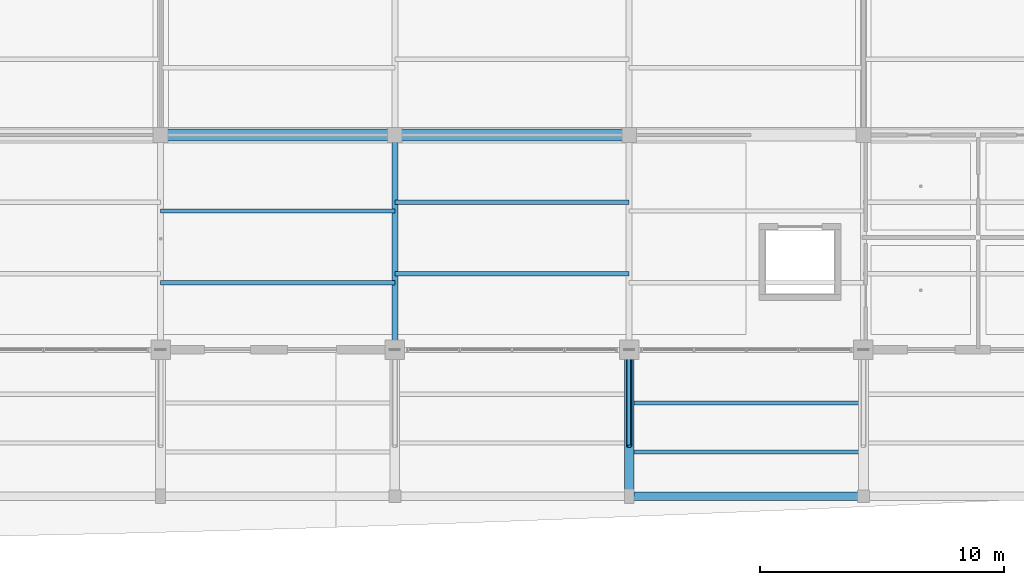
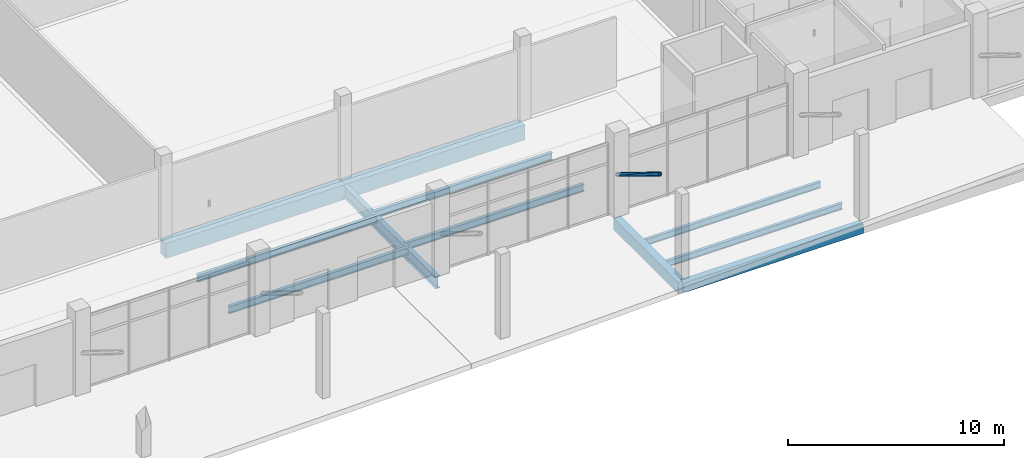
# One storey, part 43 of 116: 11 beams, 1 member.
"""IFC4 building model written with IfcOpenShell, lengths in metres."""

import ifcopenshell
import ifcopenshell.guid

model = None  # the IFC model being written
_history = None  # IfcOwnerHistory: only IFC2X3 demands one
_inside = {}  # id of a spatial element -> (the spatial element, [elements in it])
_under = {}  # id of a project, library or spatial element -> (it, [spatial elements below it])
_declared = {}  # id of a project -> (the project, [libraries it declares])
_typed = {}  # id of a type object -> (the type object, [elements of that type])
_made_of = {}  # id of a material, layer set ... -> (it, [elements and type objects made of it])


def new_model(schema):
    """Start an empty IFC model of exactly this schema.

    Asked for "IFC4X3", IfcOpenShell would pick the latest addendum, in which some entities
    have other attributes; the version numbers below select the first issue.
    IFC2X3 requires an IfcOwnerHistory on every rooted entity: one is made here for all.
    """
    global model, _history
    if schema == "IFC4X3":
        model = ifcopenshell.file(schema_version=(4, 3, 0, 0))
    else:
        model = ifcopenshell.file(schema=schema)
    _inside.clear()
    _under.clear()
    _declared.clear()
    _typed.clear()
    _made_of.clear()
    _history = None
    if model.schema == "IFC2X3":
        org = make("IfcOrganization", Name="unknown")
        user = make(
            "IfcPersonAndOrganization",
            ThePerson=make("IfcPerson", FamilyName="unknown"),
            TheOrganization=org,
        )
        app = make(
            "IfcApplication",
            ApplicationDeveloper=org,
            Version="unknown",
            ApplicationFullName="unknown",
            ApplicationIdentifier="unknown",
        )
        _history = make(
            "IfcOwnerHistory",
            OwningUser=user,
            OwningApplication=app,
            ChangeAction="ADDED",
            CreationDate=0,
        )
    return model


def make(cls, **values):
    """One entity of the class cls with the attributes given. An attribute that is None is left unset."""
    return model.create_entity(
        cls, **{name: value for name, value in values.items() if value is not None}
    )


def rooted(cls, **values):
    """An entity with a GlobalId (a new one), such as an element, a storey or a relation."""
    return make(cls, GlobalId=ifcopenshell.guid.new(), OwnerHistory=_history, **values)


def si_unit(unit_type, name, prefix=None):
    """IfcSIUnit, for example si_unit("LENGTHUNIT", "METRE", prefix="MILLI")."""
    return make("IfcSIUnit", UnitType=unit_type, Prefix=prefix, Name=name)


def assignment(units):
    """IfcUnitAssignment: the units of a project."""
    return None if units is None else make("IfcUnitAssignment", Units=units)


def point(xyz):
    """IfcCartesianPoint."""
    return None if xyz is None else make("IfcCartesianPoint", Coordinates=xyz)


def direction(xyz):
    """IfcDirection."""
    return None if xyz is None else make("IfcDirection", DirectionRatios=xyz)


def frame(location, z_axis=None, x_axis=None):
    """IfcAxis2Placement3D, a coordinate frame: its origin and axes. An axis left out is left unset."""
    return make(
        "IfcAxis2Placement3D",
        Location=point(location),
        Axis=direction(z_axis),
        RefDirection=direction(x_axis),
    )


def frame_2d(location, x_axis=None):
    """IfcAxis2Placement2D, a coordinate frame in the plane: its origin and x axis."""
    return make(
        "IfcAxis2Placement2D", Location=point(location), RefDirection=direction(x_axis)
    )


def origin():
    """The frame at (0, 0, 0) with its axes left unset."""
    return frame((0.0, 0.0, 0.0))


def origin_2d():
    """The frame at (0, 0) in the plane with its x axis left unset."""
    return frame_2d((0.0, 0.0))


def place(relative_to, where):
    """IfcLocalPlacement: puts the frame where relative to a parent placement (None: the world)."""
    return make(
        "IfcLocalPlacement", PlacementRelTo=relative_to, RelativePlacement=where
    )


def context(
    kind, dimensions, precision=None, world=None, true_north=None, identifier=None
):
    """IfcGeometricRepresentationContext, for example the 3D "Model" context."""
    return make(
        "IfcGeometricRepresentationContext",
        ContextIdentifier=identifier,
        ContextType=kind,
        CoordinateSpaceDimension=dimensions,
        Precision=precision,
        WorldCoordinateSystem=world,
        TrueNorth=true_north,
    )


def subcontext(parent, identifier, kind, view, scale=None):
    """IfcGeometricRepresentationSubContext, for example "Body" below "Model"."""
    return make(
        "IfcGeometricRepresentationSubContext",
        ContextIdentifier=identifier,
        ContextType=kind,
        ParentContext=parent,
        TargetScale=scale,
        TargetView=view,
    )


def project(units=None, contexts=None):
    """IfcProject with its units and contexts."""
    return rooted(
        "IfcProject",
        Name="project",
        RepresentationContexts=contexts,
        UnitsInContext=assignment(units),
    )


def spatial(cls, under=None, at=None, **own):
    """A site, building, storey or space (cls), placed at a placement, below another one or the project."""
    s = rooted(cls, ObjectPlacement=at, **own)
    if under is not None:
        _under.setdefault(under.id(), (under, []))[1].append(s)
    return s


def profile(cls, at=None, kind="AREA", **sizes):
    """A parametric profile (cls). Its sizes go by their IFC names, for example OverallWidth=200.0."""
    return make(cls, ProfileType=kind, Position=at, **sizes)


def rectangle(**sizes):
    """IfcRectangleProfileDef."""
    return profile("IfcRectangleProfileDef", **sizes)


def hollow_circle(**sizes):
    """IfcCircleHollowProfileDef."""
    return profile("IfcCircleHollowProfileDef", **sizes)


def i_section(**sizes):
    """IfcIShapeProfileDef."""
    return profile("IfcIShapeProfileDef", **sizes)


def extrude(swept, where, along, depth):
    """IfcExtrudedAreaSolid: the profile swept, set in the frame where, extruded along a direction by depth."""
    return make(
        "IfcExtrudedAreaSolid",
        SweptArea=swept,
        Position=where,
        ExtrudedDirection=direction(along),
        Depth=depth,
    )


def shape(context_of_items, identifier, shape_type, items):
    """IfcShapeRepresentation: the items that make up one representation, for example the "Body"."""
    return make(
        "IfcShapeRepresentation",
        ContextOfItems=context_of_items,
        RepresentationIdentifier=identifier,
        RepresentationType=shape_type,
        Items=items,
    )


def material(Name=None, Category=None):
    """IfcMaterial."""
    return make("IfcMaterial", Name=Name, Category=Category)


def material_profile(
    of_material, cross_section, Name=None, Category=None, Priority=None
):
    """IfcMaterialProfile: a cross section and its material."""
    return make(
        "IfcMaterialProfile",
        Name=Name,
        Material=of_material,
        Profile=cross_section,
        Priority=Priority,
        Category=Category,
    )


def profile_set(profiles, Name=None, composite=None):
    """IfcMaterialProfileSet."""
    return make(
        "IfcMaterialProfileSet",
        Name=Name,
        MaterialProfiles=profiles,
        CompositeProfile=composite,
    )


def made_of(thing, what):
    """Note that an element or type object is made of a material, layer set ...; save() writes the relation."""
    if what is not None:
        _made_of.setdefault(what.id(), (what, []))[1].append(thing)
    return thing


def type_object(cls, material=None, **own):
    """A type object (cls), such as IfcWallType, which elements share."""
    return made_of(rooted(cls, **own), material)


def element(
    cls,
    number,
    at=None,
    inside=None,
    cuts=None,
    type_object=None,
    material=None,
    context=None,
    identifier="Body",
    shape_type=None,
    held_by="IfcProductDefinitionShape",
    body=None,
    shapes=None,
    **own,
):
    """One element of the class cls, such as IfcWall. Its Tag is "e" and its number.

    at: its placement. inside: the storey or other place that contains it. cuts: it is an
    opening in that element (IfcRelVoidsElement). A single representation is given by context,
    identifier, shape_type and body (its items); several are given by shapes. held_by: the class
    of the entity that holds the representations. save() writes the other relations.
    """
    e = rooted(cls, Tag="e%d" % number, ObjectPlacement=at, **own)
    if body is not None:
        shapes = [shape(context, identifier, shape_type, body)]
    if shapes is not None:
        e.Representation = make(held_by, Representations=shapes)
    if inside is not None:
        _inside.setdefault(inside.id(), (inside, []))[1].append(e)
    if cuts is not None:
        rooted(
            "IfcRelVoidsElement", RelatingBuildingElement=cuts, RelatedOpeningElement=e
        )
    if type_object is not None:
        _typed.setdefault(type_object.id(), (type_object, []))[1].append(e)
    return made_of(e, material)


def aggregate(whole, parts):
    """IfcRelAggregates: a whole, such as a stair, and the parts it consists of."""
    return rooted("IfcRelAggregates", RelatingObject=whole, RelatedObjects=parts)


def save(model, path):
    """Write the relations noted so far, then the file.

    IfcRelAggregates (storeys below a building ...), IfcRelContainedInSpatialStructure (elements
    in a storey), IfcRelDefinesByType, IfcRelAssociatesMaterial and IfcRelDeclares: one each for
    every whole, place, type object, material and project.
    """
    for whole, parts in _under.values():
        aggregate(whole, parts)
    for where, things in _inside.values():
        rooted(
            "IfcRelContainedInSpatialStructure",
            RelatedElements=things,
            RelatingStructure=where,
        )
    for kind, things in _typed.values():
        rooted("IfcRelDefinesByType", RelatedObjects=things, RelatingType=kind)
    for what, things in _made_of.values():
        rooted("IfcRelAssociatesMaterial", RelatedObjects=things, RelatingMaterial=what)
    for by, libraries in _declared.values():
        rooted("IfcRelDeclares", RelatingContext=by, RelatedDefinitions=libraries)
    model.write(path)


model = new_model("IFC4")

# Units and contexts
model_context = context("Model", 3, precision=1e-05, world=origin(), true_north=direction((0.0, 1.0)))
body_context = subcontext(model_context, "Body", "Model", "MODEL_VIEW")
ifc_project = project(units=[si_unit("LENGTHUNIT", "METRE"), si_unit("AREAUNIT", "SQUARE_METRE"), si_unit("VOLUMEUNIT", "CUBIC_METRE"), si_unit("PLANEANGLEUNIT", "RADIAN"), si_unit("MASSUNIT", "GRAM", prefix="KILO")], contexts=[model_context])

# Site, building, storey
site_placement = place(None, origin())
site = spatial("IfcSite", under=ifc_project, at=site_placement, CompositionType="ELEMENT")
building_placement = place(site_placement, origin())
building = spatial("IfcBuilding", under=site, at=building_placement, Name="Chalmorin Arch Market", CompositionType="ELEMENT")
storey_placement = place(building_placement, origin())
storey = spatial("IfcBuildingStorey", under=building, at=storey_placement, Name="L00", CompositionType="ELEMENT", Elevation=0.0)

# Member
ifc_material_1 = material(Name="Steel A500 Grade C", Category="steel")
ifc_material_profile_1 = material_profile(ifc_material_1, hollow_circle(Radius=0.109619140625, WallThickness=0.00830078125, at=origin_2d()), Name="CHS219X8")
ifc_profile_set_1 = profile_set([ifc_material_profile_1], Name="Steel A500 Grade C")
member_type = type_object("IfcMemberType", Name="CanopyRakingStrut-CHS219", PredefinedType="STRUT", material=ifc_profile_set_1)
member_placement = place(storey_placement, frame((105.60009765625, 6.0, 2.10009765625), z_axis=(0.0, -0.852698951307, 0.522402621012), x_axis=(1.0, 0.0, 0.0)))
element("IfcMember", 1, at=member_placement, inside=storey, type_object=member_type, Name="ST-CH219-0012", PredefinedType="STRUT", context=body_context, shape_type="SweptSolid", body=[
    extrude(hollow_circle(Radius=0.109619140625, WallThickness=0.00830078125, at=origin_2d()), origin(), (0.0, 0.0, 1.0), 4.63232421875),
])

# Beams
ifc_material_2 = material(Name="Concrete C40/50", Category="concrete")
ifc_material_profile_2 = material_profile(ifc_material_2, rectangle(XDim=0.39990234375, YDim=0.64990234375, at=origin_2d()), Name="RC400X650")
ifc_profile_set_2 = profile_set([ifc_material_profile_2], Name="Concrete C40/50")
beam_type_1 = type_object("IfcBeamType", Name="MezzanineConcreteBeam-400x650", PredefinedType="BEAM", material=ifc_profile_set_2)
beam_1_placement = place(storey_placement, frame((105.60009765625, 0.0, -0.626953125), z_axis=(0.0, 1.0, 0.0), x_axis=(-1.0, 0.0, 0.0)))
element("IfcBeam", 2, at=beam_1_placement, inside=storey, type_object=beam_type_1, Name="BM-RC3-0569", PredefinedType="BEAM", context=body_context, shape_type="SweptSolid", body=[
    extrude(rectangle(XDim=0.39990234375, YDim=0.64990234375, at=origin_2d()), origin(), (0.0, 0.0, 1.0), 6.0),
])
ifc_material_profile_3 = material_profile(ifc_material_2, rectangle(XDim=0.5, YDim=0.85009765625, at=origin_2d()), Name="RC500X850")
ifc_profile_set_3 = profile_set([ifc_material_profile_3], Name="Concrete C40/50")
beam_type_2 = type_object("IfcBeamType", Name="PlinthConcreteGirder-500x850", PredefinedType="BEAM", material=ifc_profile_set_3)
for number, where, z_axis, x_axis, name in (
    (3, (86.39990234375, 14.800048828125, -0.70703125), (1.0, 0.0, 0.0), (0.0, 1.0, 0.0), "BG-RC1-0060"),
    (4, (96.0, 14.800048828125, -0.70703125), (1.0, 0.0, 0.0), (0.0, 1.0, 0.0), "BG-RC1-0073"),
):
    element("IfcBeam", number, at=place(storey_placement, frame(where, z_axis=z_axis, x_axis=x_axis)), inside=storey, type_object=beam_type_2, Name=name, PredefinedType="BEAM", context=body_context, shape_type="SweptSolid", body=[
        extrude(rectangle(XDim=0.5, YDim=0.85009765625, at=origin_2d()), origin(), (0.0, 0.0, 1.0), 9.60009765625),
    ])
ifc_material_3 = material(Name="Steel A992 Grade 50", Category="steel")
ifc_material_profile_4 = material_profile(ifc_material_3, i_section(OverallWidth=0.25390625, OverallDepth=0.68408203125, WebThickness=0.012451171875, FlangeThickness=0.018798828125, FilletRadius=0.02587890625, at=origin_2d()), Name="W27X94")
ifc_profile_set_4 = profile_set([ifc_material_profile_4], Name="Steel A992 Grade 50")
beam_type_3 = type_object("IfcBeamType", Name="PrimarySteelGirder-W27X94", PredefinedType="BEAM", material=ifc_profile_set_4)
beam_2_placement = place(storey_placement, frame((96.0, 6.0, -0.64404296875), z_axis=(0.0, 1.0, 0.0), x_axis=(-1.0, 0.0, 0.0)))
element("IfcBeam", 5, at=beam_2_placement, inside=storey, type_object=beam_type_3, Name="BG-W27-0061", PredefinedType="BEAM", context=body_context, shape_type="SweptSolid", body=[
    extrude(i_section(OverallWidth=0.25390625, OverallDepth=0.68408203125, WebThickness=0.012451171875, FlangeThickness=0.018798828125, FilletRadius=0.02587890625, at=origin_2d()), origin(), (0.0, 0.0, 1.0), 8.800048828125),
])
ifc_material_profile_5 = material_profile(ifc_material_3, i_section(OverallWidth=0.1708984375, OverallDepth=0.35107421875, WebThickness=0.0068359375, FlangeThickness=0.009765625, FilletRadius=0.014892578125, at=origin_2d()), Name="W14X30")
ifc_profile_set_5 = profile_set([ifc_material_profile_5], Name="Steel A992 Grade 50")
beam_type_4 = type_object("IfcBeamType", Name="SecondaryFloorJoist-W14X30", PredefinedType="JOIST", material=ifc_profile_set_5)
for number, where, z_axis, x_axis, name in (
    (6, (105.60009765625, 1.820068359375, -0.4775390625), (1.0, 0.0, 0.0), (0.0, 1.0, 0.0), "BJ-W14-0596"),
    (7, (105.60009765625, 3.820068359375, -0.4775390625), (1.0, 0.0, 0.0), (0.0, 1.0, 0.0), "BJ-W14-0597"),
):
    element("IfcBeam", number, at=place(storey_placement, frame(where, z_axis=z_axis, x_axis=x_axis)), inside=storey, type_object=beam_type_4, Name=name, PredefinedType="JOIST", context=body_context, shape_type="SweptSolid", body=[
        extrude(i_section(OverallWidth=0.1708984375, OverallDepth=0.35107421875, WebThickness=0.0068359375, FlangeThickness=0.009765625, FilletRadius=0.014892578125, at=origin_2d()), origin(), (0.0, 0.0, 1.0), 9.599853515625),
    ])
ifc_material_profile_6 = material_profile(ifc_material_3, i_section(OverallWidth=0.178955078125, OverallDepth=0.409912109375, WebThickness=0.0087890625, FlangeThickness=0.014404296875, FilletRadius=0.01806640625, at=origin_2d()), Name="W16X45")
ifc_profile_set_6 = profile_set([ifc_material_profile_6], Name="Steel A992 Grade 50")
beam_type_5 = type_object("IfcBeamType", Name="SecondaryFloorJoist-W16X45", PredefinedType="JOIST", material=ifc_profile_set_6)
for number, where, z_axis, x_axis, name in (
    (8, (86.39990234375, 8.75341796875, -0.487060546875), (1.0, 0.0, 0.0), (0.0, 1.0, 0.0), "BJ-W16A-0155"),
    (9, (86.39990234375, 11.686767578125, -0.487060546875), (1.0, 0.0, 0.0), (0.0, 1.0, 0.0), "BJ-W16A-0156"),
    (10, (96.0, 9.11328125, -0.487060546875), (1.0, 0.0, 0.0), (0.0, 1.0, 0.0), "BJ-W16A-0167"),
    (11, (96.0, 12.046630859375, -0.487060546875), (1.0, 0.0, 0.0), (0.0, 1.0, 0.0), "BJ-W16A-0168"),
):
    element("IfcBeam", number, at=place(storey_placement, frame(where, z_axis=z_axis, x_axis=x_axis)), inside=storey, type_object=beam_type_5, Name=name, PredefinedType="JOIST", context=body_context, shape_type="SweptSolid", body=[
        extrude(i_section(OverallWidth=0.178955078125, OverallDepth=0.409912109375, WebThickness=0.0087890625, FlangeThickness=0.014404296875, FilletRadius=0.01806640625, at=origin_2d()), origin(), (0.0, 0.0, 1.0), 9.60009765625),
    ])
ifc_material_profile_7 = material_profile(ifc_material_2, rectangle(XDim=0.35009765625, YDim=0.550048828125, at=origin_2d()), Name="RC350X550")
ifc_profile_set_7 = profile_set([ifc_material_profile_7], Name="Concrete C40/50")
beam_type_6 = type_object("IfcBeamType", Name="TerraceEdgeBeam-350x550", PredefinedType="SPANDREL", material=ifc_profile_set_7)
beam_3_placement = place(storey_placement, frame((105.60009765625, 0.0, -0.576904296875), z_axis=(1.0, 0.0, 0.0), x_axis=(0.0, 1.0, 0.0)))
element("IfcBeam", 12, at=beam_3_placement, inside=storey, type_object=beam_type_6, Name="SP-RC1-0570", PredefinedType="SPANDREL", context=body_context, shape_type="SweptSolid", body=[
    extrude(rectangle(XDim=0.35009765625, YDim=0.550048828125, at=origin_2d()), origin(), (0.0, 0.0, 1.0), 9.599853515625),
])

save(model, "model.ifc")
